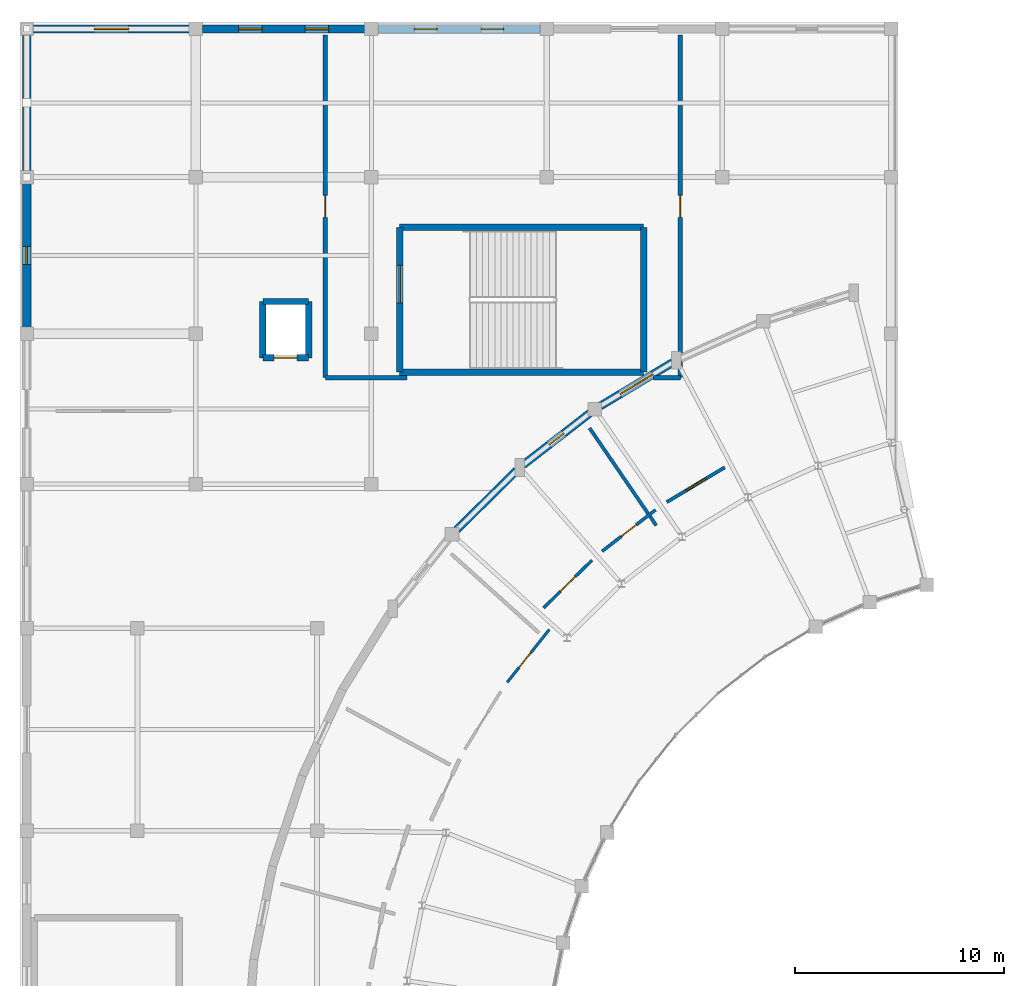
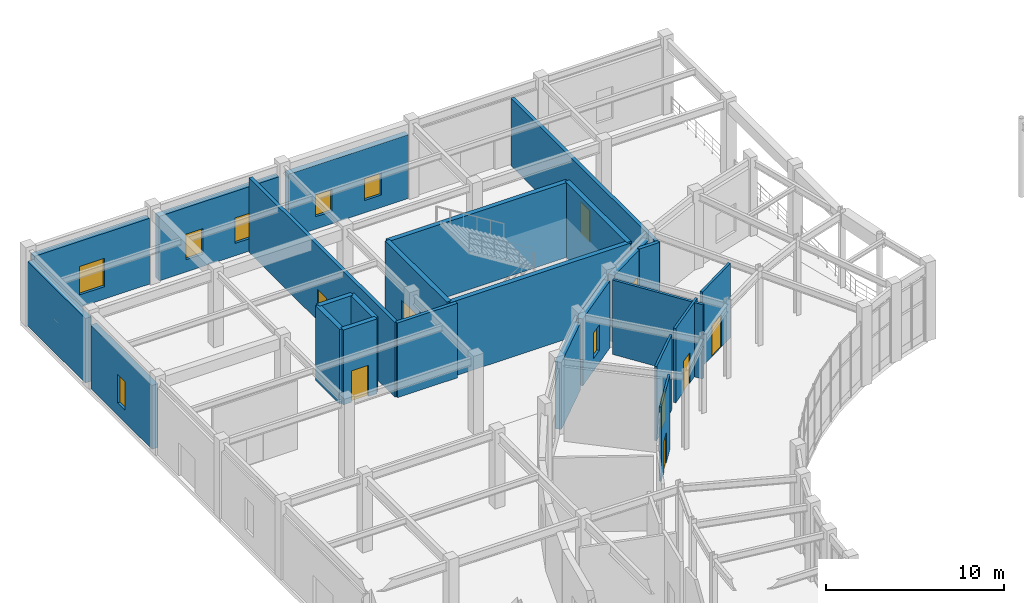
# One storey, part 57 of 93: 25 walls, 8 doors, 8 windows, 16 openings.
"""IFC4 building model written with IfcOpenShell, lengths in metres."""

from ifc_helpers import new_model, si_unit, direction, frame, frame_2d, origin, place, context, subcontext, project, spatial, rectangle, extrude, material, layer, layer_set, type_object, element, fill, save


model = new_model("IFC4")

# Units and contexts
model_context = context("Model", 3, precision=1e-05, world=origin(), true_north=direction((0.0, 1.0)))
body_context = subcontext(model_context, "Body", "Model", "MODEL_VIEW")
ifc_project = project(units=[si_unit("LENGTHUNIT", "METRE"), si_unit("AREAUNIT", "SQUARE_METRE"), si_unit("VOLUMEUNIT", "CUBIC_METRE"), si_unit("PLANEANGLEUNIT", "RADIAN"), si_unit("MASSUNIT", "GRAM", prefix="KILO")], contexts=[model_context])

# Site, building, storey
site_placement = place(None, origin())
site = spatial("IfcSite", under=ifc_project, at=site_placement, CompositionType="ELEMENT")
building_placement = place(site_placement, origin())
building = spatial("IfcBuilding", under=site, at=building_placement, Name="Cinderbank Siding Concert Hall", CompositionType="ELEMENT")
storey_placement = place(building_placement, origin())
storey = spatial("IfcBuildingStorey", under=building, at=storey_placement, Name="L01", CompositionType="ELEMENT", Elevation=0.0)

# Wall, opening, door
ifc_material_1 = material(Name="Reinforced concrete AS 3600 N50 (50 MPa)", Category="concrete")
ifc_layer_1 = layer(ifc_material_1, 0.300048828125)
ifc_layer_set_1 = layer_set([ifc_layer_1], Name="Reinforced concrete AS 3600 N50 (50 MPa)")
wall_type_1 = type_object("IfcWallType", Name="WL-03 Structural Wall 300mm", PredefinedType="SHEAR", material=ifc_layer_set_1)
wall_1_placement = place(storey_placement, frame((24.9599609375, 101.4599609375, 0.0), z_axis=(0.0, 0.0, 1.0), x_axis=(0.0, 1.0, 0.0)))
wall_1 = element("IfcWall", 1, at=wall_1_placement, inside=storey, type_object=wall_type_1, Name="L01 ST-05 Core Wall ENTRY", PredefinedType="SHEAR", context=body_context, shape_type="SweptSolid", body=[
    extrude(rectangle(XDim=6.93994140625, YDim=0.300048828125, at=frame_2d((3.469970703125, 0.0))), origin(), (0.0, 0.0, 1.0), 5.139892578125),
])
opening_1_placement = place(wall_1_placement, frame((3.320068359375, 0.0, 0.0)))
opening_1 = element("IfcOpeningElement", 2, at=opening_1_placement, cuts=wall_1, Name="Opening D-05", PredefinedType="OPENING", context=body_context, shape_type="SweptSolid", body=[
    extrude(rectangle(XDim=1.800048828125, YDim=2.199951171875, at=frame_2d((0.89990234375, 1.10009765625))), frame((0.0, 0.162109375, 0.0), z_axis=(0.0, -1.0, 0.0), x_axis=(1.0, 0.0, 0.0)), (0.0, 0.0, 1.0), 0.323974609375),
])
ifc_material_2 = material(Name="Galvanised sheet steel acoustic fire door assembly", Category="steel")
door_type_1 = type_object("IfcDoorType", Name="D-05 Interior Door 1800x2200", OperationType="DOUBLE_DOOR_SINGLE_SWING", PredefinedType="DOOR", material=ifc_material_2)
door_1_placement = place(opening_1_placement, origin())
door_1 = element("IfcDoor", 3, at=door_1_placement, inside=storey, type_object=door_type_1, Name="L01 ST-05 Fire Stair Door L01-D030", OperationType="DOUBLE_DOOR_SINGLE_SWING", OverallHeight=2.199951171875, OverallWidth=1.800048828125, PredefinedType="DOOR", context=body_context, shape_type="SweptSolid", body=[
    extrude(rectangle(XDim=1.800048828125, YDim=2.199951171875, at=frame_2d((0.89990234375, 1.10009765625))), frame((0.0, 0.02490234375, 0.0), z_axis=(0.0, -1.0, 0.0), x_axis=(1.0, 0.0, 0.0)), (0.0, 0.0, 1.0), 0.050048828125),
])
fill(opening_1, door_1)

# Walls
wall_2_placement = place(storey_placement, frame((36.639892578125, 108.39990234375, 0.0), z_axis=(0.0, 0.0, 1.0), x_axis=(0.0, -1.0, 0.0)))
element("IfcWall", 4, at=wall_2_placement, inside=storey, type_object=wall_type_1, Name="L01 ST-05 Core Wall FAR", PredefinedType="SHEAR", context=body_context, shape_type="SweptSolid", body=[
    extrude(rectangle(XDim=6.93994140625, YDim=0.300048828125, at=frame_2d((3.469970703125, 0.0))), origin(), (0.0, 0.0, 1.0), 5.139892578125),
])
for number, where, z_axis, x_axis, name in (
    (5, (36.639892578125, 101.4599609375, 0.0), (0.0, 0.0, 1.0), (-1.0, 0.0, 0.0), "L01 ST-05 Core Wall SIDE1"),
    (6, (24.9599609375, 108.39990234375, 0.0), (0.0, 0.0, 1.0), (1.0, 0.0, 0.0), "L01 ST-05 Core Wall SIDE2"),
):
    element("IfcWall", number, at=place(storey_placement, frame(where, z_axis=z_axis, x_axis=x_axis)), inside=storey, type_object=wall_type_1, Name=name, PredefinedType="SHEAR", context=body_context, shape_type="SweptSolid", body=[
        extrude(rectangle(XDim=11.679931640625, YDim=0.300048828125, at=frame_2d((5.83984375, 0.0))), origin(), (0.0, 0.0, 1.0), 5.139892578125),
    ])

# Wall, opening, door
wall_3_placement = place(storey_placement, frame((20.60009765625, 102.14990234375, 0.0), z_axis=(0.0, 0.0, 1.0), x_axis=(-1.0, 0.0, 0.0)))
wall_3 = element("IfcWall", 7, at=wall_3_placement, inside=storey, type_object=wall_type_1, Name="L01 LF-06 Shaft Wall -Y", PredefinedType="SHEAR", context=body_context, shape_type="SweptSolid", body=[
    extrude(rectangle(XDim=2.2001953125, YDim=0.300048828125, at=frame_2d((1.10009765625, 0.0))), origin(), (0.0, 0.0, 1.0), 5.139892578125),
])
opening_2_placement = place(wall_3_placement, frame((0.550048828125, 0.0, 0.0)))
opening_2 = element("IfcOpeningElement", 8, at=opening_2_placement, cuts=wall_3, Name="Opening LD-01", PredefinedType="OPENING", context=body_context, shape_type="SweptSolid", body=[
    extrude(rectangle(XDim=1.10009765625, YDim=2.14990234375, at=frame_2d((0.550048828125, 1.074951171875))), frame((0.0, 0.162109375, 0.0), z_axis=(0.0, -1.0, 0.0), x_axis=(1.0, 0.0, 0.0)), (0.0, 0.0, 1.0), 0.323974609375),
])
door_type_2 = type_object("IfcDoorType", Name="LD-01 Interior Door 1100x2150", OperationType="DOUBLE_DOOR_SLIDING", PredefinedType="DOOR", material=ifc_material_2)
door_2_placement = place(opening_2_placement, origin())
door_2 = element("IfcDoor", 9, at=door_2_placement, inside=storey, type_object=door_type_2, Name="L01 LF-06 Sliding Landing Door", OperationType="DOUBLE_DOOR_SLIDING", OverallHeight=2.14990234375, OverallWidth=1.10009765625, PredefinedType="DOOR", context=body_context, shape_type="SweptSolid", body=[
    extrude(rectangle(XDim=1.10009765625, YDim=2.14990234375, at=frame_2d((0.550048828125, 1.074951171875))), frame((0.0, 0.02490234375, 0.0), z_axis=(0.0, -1.0, 0.0), x_axis=(1.0, 0.0, 0.0)), (0.0, 0.0, 1.0), 0.050048828125),
])
fill(opening_2, door_2)

# Walls
wall_4_placement = place(storey_placement, frame((20.60009765625, 104.85009765625, 0.0), z_axis=(0.0, 0.0, 1.0), x_axis=(0.0, -1.0, 0.0)))
element("IfcWall", 10, at=wall_4_placement, inside=storey, type_object=wall_type_1, Name="L01 LF-06 Shaft Wall +X", PredefinedType="SHEAR", context=body_context, shape_type="SweptSolid", body=[
    extrude(rectangle(XDim=2.7001953125, YDim=0.300048828125, at=frame_2d((1.35009765625, 0.0))), origin(), (0.0, 0.0, 1.0), 5.139892578125),
])
wall_5_placement = place(storey_placement, frame((18.39990234375, 104.85009765625, 0.0), z_axis=(0.0, 0.0, 1.0), x_axis=(1.0, 0.0, 0.0)))
element("IfcWall", 11, at=wall_5_placement, inside=storey, type_object=wall_type_1, Name="L01 LF-06 Shaft Wall +Y", PredefinedType="SHEAR", context=body_context, shape_type="SweptSolid", body=[
    extrude(rectangle(XDim=2.2001953125, YDim=0.300048828125, at=frame_2d((1.10009765625, 0.0))), origin(), (0.0, 0.0, 1.0), 5.139892578125),
])
wall_6_placement = place(storey_placement, frame((18.39990234375, 102.14990234375, 0.0), z_axis=(0.0, 0.0, 1.0), x_axis=(0.0, 1.0, 0.0)))
element("IfcWall", 12, at=wall_6_placement, inside=storey, type_object=wall_type_1, Name="L01 LF-06 Shaft Wall -X", PredefinedType="SHEAR", context=body_context, shape_type="SweptSolid", body=[
    extrude(rectangle(XDim=2.7001953125, YDim=0.300048828125, at=frame_2d((1.35009765625, 0.0))), origin(), (0.0, 0.0, 1.0), 5.139892578125),
])

# Wall, opening, door
ifc_layer_2 = layer(ifc_material_1, 0.219970703125)
ifc_layer_set_2 = layer_set([ifc_layer_2], Name="Reinforced concrete AS 3600 N50 (50 MPa)")
wall_type_2 = type_object("IfcWallType", Name="WL-06 Interior Wall 220mm", PredefinedType="SOLIDWALL", material=ifc_layer_set_2)
wall_7_placement = place(storey_placement, frame((21.39990234375, 117.60009765625, 0.0), z_axis=(0.0, 0.0, 1.0), x_axis=(0.0, -1.0, 0.0)))
wall_7 = element("IfcWall", 13, at=wall_7_placement, inside=storey, type_object=wall_type_2, Name="L01 Fire-Isolated Exit Passage Wall EPW-05-W", PredefinedType="SOLIDWALL", context=body_context, shape_type="SweptSolid", body=[
    extrude(rectangle(XDim=16.400146484375, YDim=0.219970703125, at=frame_2d((8.2001953125, 0.0))), origin(), (0.0, 0.0, 1.0), 5.125),
])
opening_3_placement = place(wall_7_placement, frame((7.675048828125, 0.0, 0.0)))
opening_3 = element("IfcOpeningElement", 14, at=opening_3_placement, cuts=wall_7, Name="Opening D-02", PredefinedType="OPENING", context=body_context, shape_type="SweptSolid", body=[
    extrude(rectangle(XDim=1.050048828125, YDim=2.14990234375, at=frame_2d((0.52490234375, 1.074951171875))), frame((0.0, 0.1220703125, 0.0), z_axis=(0.0, -1.0, 0.0), x_axis=(1.0, 0.0, 0.0)), (0.0, 0.0, 1.0), 0.243896484375),
])
door_type_3 = type_object("IfcDoorType", Name="D-02 Interior Door 1050x2150", OperationType="NOTDEFINED", PredefinedType="DOOR", material=ifc_material_2)
door_3_placement = place(opening_3_placement, origin())
door_3 = element("IfcDoor", 15, at=door_3_placement, inside=storey, type_object=door_type_3, Name="L01 Exit Passage Fire Door L01-D090", OperationType="SINGLE_SWING_LEFT", OverallHeight=2.14990234375, OverallWidth=1.050048828125, PredefinedType="DOOR", context=body_context, shape_type="SweptSolid", body=[
    extrude(rectangle(XDim=1.050048828125, YDim=2.14990234375, at=frame_2d((0.52490234375, 1.074951171875))), frame((0.0, 0.02490234375, 0.0), z_axis=(0.0, -1.0, 0.0), x_axis=(1.0, 0.0, 0.0)), (0.0, 0.0, 1.0), 0.050048828125),
])
fill(opening_3, door_3)

# Walls
wall_8_placement = place(storey_placement, frame((21.39990234375, 101.199951171875, 0.0), z_axis=(0.0, 0.0, 1.0), x_axis=(1.0, 0.0, 0.0)))
element("IfcWall", 16, at=wall_8_placement, inside=storey, type_object=wall_type_2, Name="L01 Fire-Isolated Exit Passage Wall EPW-05-S", PredefinedType="SOLIDWALL", context=body_context, shape_type="SweptSolid", body=[
    extrude(rectangle(XDim=3.900146484375, YDim=0.219970703125, at=frame_2d((1.9501953125, 0.0))), origin(), (0.0, 0.0, 1.0), 5.125),
])
wall_9_placement = place(storey_placement, frame((37.10009765625, 101.199951171875, 0.0), z_axis=(0.0, 0.0, 1.0), x_axis=(1.0, 0.0, 0.0)))
element("IfcWall", 17, at=wall_9_placement, inside=storey, type_object=wall_type_2, Name="L01 Fire-Isolated Exit Passage Wall EPW-05-S2", PredefinedType="SOLIDWALL", context=body_context, shape_type="SweptSolid", body=[
    extrude(rectangle(XDim=1.2998046875, YDim=0.219970703125, at=frame_2d((0.64990234375, 0.0))), origin(), (0.0, 0.0, 1.0), 4.70703125),
])

# Wall, opening, door
wall_10_placement = place(storey_placement, frame((38.39990234375, 101.199951171875, 0.0), z_axis=(0.0, 0.0, 1.0), x_axis=(0.0, 1.0, 0.0)))
wall_10 = element("IfcWall", 18, at=wall_10_placement, inside=storey, type_object=wall_type_2, Name="L01 Fire-Isolated Exit Passage Wall EPW-05-E", PredefinedType="SOLIDWALL", context=body_context, shape_type="SweptSolid", body=[
    extrude(rectangle(XDim=16.400146484375, YDim=0.219970703125, at=frame_2d((8.2001953125, 0.0))), origin(), (0.0, 0.0, 1.0), 4.649658203125),
])
opening_4_placement = place(wall_10_placement, frame((7.675048828125, 0.0, 0.0)))
opening_4 = element("IfcOpeningElement", 19, at=opening_4_placement, cuts=wall_10, Name="Opening D-02", PredefinedType="OPENING", context=body_context, shape_type="SweptSolid", body=[
    extrude(rectangle(XDim=1.050048828125, YDim=2.14990234375, at=frame_2d((0.52490234375, 1.074951171875))), frame((0.0, 0.1220703125, 0.0), z_axis=(0.0, -1.0, 0.0), x_axis=(1.0, 0.0, 0.0)), (0.0, 0.0, 1.0), 0.243896484375),
])
door_4_placement = place(opening_4_placement, origin())
door_4 = element("IfcDoor", 20, at=door_4_placement, inside=storey, type_object=door_type_3, Name="L01 Exit Passage Fire Door L01-D091", OperationType="SINGLE_SWING_RIGHT", OverallHeight=2.14990234375, OverallWidth=1.050048828125, PredefinedType="DOOR", context=body_context, shape_type="SweptSolid", body=[
    extrude(rectangle(XDim=1.050048828125, YDim=2.14990234375, at=frame_2d((0.52490234375, 1.074951171875))), frame((0.0, 0.02490234375, 0.0), z_axis=(0.0, -1.0, 0.0), x_axis=(1.0, 0.0, 0.0)), (0.0, 0.0, 1.0), 0.050048828125),
])
fill(opening_4, door_4)

# Wall, opening, window
ifc_material_3 = material(Name="Sydney Hawkesbury sandstone ashlar masonry", Category="masonry")
ifc_layer_3 = layer(ifc_material_3, 0.389892578125)
ifc_layer_set_3 = layer_set([ifc_layer_3], Name="Sydney Hawkesbury sandstone ashlar masonry")
wall_type_3 = type_object("IfcWallType", Name="WL-09 Exterior Wall 390mm", PredefinedType="STANDARD", material=ifc_layer_set_3)
wall_11_placement = place(storey_placement, frame((34.571044921875, 99.843994140625, 0.0), z_axis=(0.0, 0.0, 1.0), x_axis=(0.857145679263, 0.515074057316, 0.0)))
wall_11 = element("IfcWall", 21, at=wall_11_placement, inside=storey, type_object=wall_type_3, Name="L01 Facade Wall EW-WOUT-L01-03", PredefinedType="STANDARD", context=body_context, shape_type="SweptSolid", body=[
    extrude(rectangle(XDim=4.03466796875, YDim=0.389892578125, at=frame_2d((2.017333984375, 0.0))), origin(), (0.0, 0.0, 1.0), 4.60009765625),
])
opening_5_placement = place(wall_11_placement, frame((1.09228515625, 0.0, 0.85009765625)))
opening_5 = element("IfcOpeningElement", 22, at=opening_5_placement, cuts=wall_11, Name="Opening WN-16", PredefinedType="OPENING", context=body_context, shape_type="SweptSolid", body=[
    extrude(rectangle(XDim=1.85009765625, YDim=1.949951171875, at=frame_2d((0.925048828125, 0.97509765625))), frame((0.0, 0.20703125, 0.0), z_axis=(0.0, -1.0, 0.0), x_axis=(1.0, 0.0, 0.0)), (0.0, 0.0, 1.0), 0.413818359375),
])
ifc_material_4 = material(Name="Double-glazed laminated acoustic glass", Category="glass")
window_type_1 = type_object("IfcWindowType", Name="WN-16 Acoustic Casement Window 1850x1950", PartitioningType="DOUBLE_PANEL_VERTICAL", PredefinedType="WINDOW", material=ifc_material_4)
window_1_placement = place(opening_5_placement, origin())
window_1 = element("IfcWindow", 23, at=window_1_placement, inside=storey, type_object=window_type_1, Name="L01 Facade Window #2", OverallHeight=1.949951171875, OverallWidth=1.85009765625, PartitioningType="DOUBLE_PANEL_VERTICAL", PredefinedType="WINDOW", context=body_context, shape_type="SweptSolid", body=[
    extrude(rectangle(XDim=1.85009765625, YDim=1.949951171875, at=frame_2d((0.925048828125, 0.97509765625))), frame((0.0, 0.030029296875, 0.0), z_axis=(0.0, -1.0, 0.0), x_axis=(1.0, 0.0, 0.0)), (0.0, 0.0, 1.0), 0.06005859375),
])
fill(opening_5, window_1)

wall_12_placement = place(storey_placement, frame((34.060302734375, 99.494384765625, 0.0), z_axis=(0.0, 0.0, 1.0), x_axis=(-0.790149827007, -0.612913738532, 0.0)))
wall_12 = element("IfcWall", 24, at=wall_12_placement, inside=storey, type_object=wall_type_3, Name="L01 Facade Wall EW-WOUT-L01-04", PredefinedType="STANDARD", context=body_context, shape_type="SweptSolid", body=[
    extrude(rectangle(XDim=4.03466796875, YDim=0.389892578125, at=frame_2d((2.017333984375, 0.0))), origin(), (0.0, 0.0, 1.0), 4.60009765625),
])
opening_6_placement = place(wall_12_placement, frame((1.5673828125, 0.0, 0.85009765625)))
opening_6 = element("IfcOpeningElement", 25, at=opening_6_placement, cuts=wall_12, Name="Opening WN-17", PredefinedType="OPENING", context=body_context, shape_type="SweptSolid", body=[
    extrude(rectangle(XDim=0.89990234375, YDim=1.75, at=frame_2d((0.449951171875, 0.875))), frame((0.0, 0.20703125, 0.0), z_axis=(0.0, -1.0, 0.0), x_axis=(1.0, 0.0, 0.0)), (0.0, 0.0, 1.0), 0.413818359375),
])
window_type_2 = type_object("IfcWindowType", Name="WN-17 Acoustic Casement Window 900x1750", PartitioningType="DOUBLE_PANEL_VERTICAL", PredefinedType="WINDOW", material=ifc_material_4)
window_2_placement = place(opening_6_placement, origin())
window_2 = element("IfcWindow", 26, at=window_2_placement, inside=storey, type_object=window_type_2, Name="L01 Facade Window #3", OverallHeight=1.75, OverallWidth=0.89990234375, PartitioningType="DOUBLE_PANEL_VERTICAL", PredefinedType="WINDOW", context=body_context, shape_type="SweptSolid", body=[
    extrude(rectangle(XDim=0.89990234375, YDim=1.75, at=frame_2d((0.449951171875, 0.875))), frame((0.0, 0.030029296875, 0.0), z_axis=(0.0, -1.0, 0.0), x_axis=(1.0, 0.0, 0.0)), (0.0, 0.0, 1.0), 0.06005859375),
])
fill(opening_6, window_2)

# Wall
wall_13_placement = place(storey_placement, frame((30.556884765625, 96.7451171875, 0.0), z_axis=(0.0, 0.0, 1.0), x_axis=(-0.712081231167, -0.70209708746, 0.0)))
element("IfcWall", 27, at=wall_13_placement, inside=storey, type_object=wall_type_3, Name="L01 Facade Wall EW-WOUT-L01-05", PredefinedType="STANDARD", context=body_context, shape_type="SweptSolid", body=[
    extrude(rectangle(XDim=4.03466796875, YDim=0.389892578125, at=frame_2d((2.017333984375, 0.0))), origin(), (0.0, 0.0, 1.0), 4.60009765625),
])

# Wall, opening, window
wall_14_placement = place(storey_placement, frame((7.10009765625, 103.610107421875, 0.0), z_axis=(0.0, 0.0, 1.0), x_axis=(0.0, 1.0, 0.0)))
wall_14 = element("IfcWall", 28, at=wall_14_placement, inside=storey, type_object=wall_type_3, Name="L01 Facade Wall EW-NW-W2-L01", PredefinedType="STANDARD", context=body_context, shape_type="SweptSolid", body=[
    extrude(rectangle(XDim=6.8798828125, YDim=0.389892578125, at=frame_2d((3.43994140625, 0.0))), origin(), (0.0, 0.0, 1.0), 4.376953125),
])
opening_7_placement = place(wall_14_placement, frame((3.014892578125, 0.0, 0.85009765625)))
opening_7 = element("IfcOpeningElement", 29, at=opening_7_placement, cuts=wall_14, Name="Opening WN-09", PredefinedType="OPENING", context=body_context, shape_type="SweptSolid", body=[
    extrude(rectangle(XDim=0.85009765625, YDim=1.949951171875, at=frame_2d((0.425048828125, 0.97509765625))), frame((0.0, 0.20703125, 0.0), z_axis=(0.0, -1.0, 0.0), x_axis=(1.0, 0.0, 0.0)), (0.0, 0.0, 1.0), 0.413818359375),
])
window_type_3 = type_object("IfcWindowType", Name="WN-09 Acoustic Casement Window 850x1950", PartitioningType="DOUBLE_PANEL_VERTICAL", PredefinedType="WINDOW", material=ifc_material_4)
window_3_placement = place(opening_7_placement, origin())
window_3 = element("IfcWindow", 30, at=window_3_placement, inside=storey, type_object=window_type_3, Name="L01 Facade Window #117", OverallHeight=1.949951171875, OverallWidth=0.85009765625, PartitioningType="DOUBLE_PANEL_VERTICAL", PredefinedType="WINDOW", context=body_context, shape_type="SweptSolid", body=[
    extrude(rectangle(XDim=0.85009765625, YDim=1.949951171875, at=frame_2d((0.425048828125, 0.97509765625))), frame((0.0, 0.030029296875, 0.0), z_axis=(0.0, -1.0, 0.0), x_axis=(1.0, 0.0, 0.0)), (0.0, 0.0, 1.0), 0.06005859375),
])
fill(opening_7, window_3)

# Wall
wall_15_placement = place(storey_placement, frame((7.10009765625, 111.110107421875, 0.0), z_axis=(0.0, 0.0, 1.0), x_axis=(0.0, 1.0, 0.0)))
element("IfcWall", 31, at=wall_15_placement, inside=storey, type_object=wall_type_3, Name="L01 Facade Wall EW-NW-W3-L01", PredefinedType="STANDARD", context=body_context, shape_type="SweptSolid", body=[
    extrude(rectangle(XDim=6.47998046875, YDim=0.389892578125, at=frame_2d((3.239990234375, 0.0))), origin(), (0.0, 0.0, 1.0), 4.427001953125),
])

# Wall, opening, window
wall_16_placement = place(storey_placement, frame((7.409912109375, 117.89990234375, 0.0), z_axis=(0.0, 0.0, 1.0), x_axis=(1.0, 0.0, 0.0)))
wall_16 = element("IfcWall", 32, at=wall_16_placement, inside=storey, type_object=wall_type_3, Name="L01 Facade Wall EW-NW-N0-L01", PredefinedType="STANDARD", context=body_context, shape_type="SweptSolid", body=[
    extrude(rectangle(XDim=7.47998046875, YDim=0.389892578125, at=frame_2d((3.739990234375, 0.0))), origin(), (0.0, 0.0, 1.0), 4.52490234375),
])
opening_8_placement = place(wall_16_placement, frame((2.9150390625, 0.0, 0.85009765625)))
opening_8 = element("IfcOpeningElement", 33, at=opening_8_placement, cuts=wall_16, Name="Opening WN-15", PredefinedType="OPENING", context=body_context, shape_type="SweptSolid", body=[
    extrude(rectangle(XDim=1.64990234375, YDim=1.949951171875, at=frame_2d((0.824951171875, 0.97509765625))), frame((0.0, 0.20703125, 0.0), z_axis=(0.0, -1.0, 0.0), x_axis=(1.0, 0.0, 0.0)), (0.0, 0.0, 1.0), 0.413818359375),
])
window_type_4 = type_object("IfcWindowType", Name="WN-15 Acoustic Casement Window 1650x1950", PartitioningType="DOUBLE_PANEL_VERTICAL", PredefinedType="WINDOW", material=ifc_material_4)
window_4_placement = place(opening_8_placement, origin())
window_4 = element("IfcWindow", 34, at=window_4_placement, inside=storey, type_object=window_type_4, Name="L01 Facade Window #123", OverallHeight=1.949951171875, OverallWidth=1.64990234375, PartitioningType="DOUBLE_PANEL_VERTICAL", PredefinedType="WINDOW", context=body_context, shape_type="SweptSolid", body=[
    extrude(rectangle(XDim=1.64990234375, YDim=1.949951171875, at=frame_2d((0.824951171875, 0.97509765625))), frame((0.0, 0.030029296875, 0.0), z_axis=(0.0, -1.0, 0.0), x_axis=(1.0, 0.0, 0.0)), (0.0, 0.0, 1.0), 0.06005859375),
])
fill(opening_8, window_4)

# Wall, openings, windows
wall_17_placement = place(storey_placement, frame((15.510009765625, 117.89990234375, 0.0), z_axis=(0.0, 0.0, 1.0), x_axis=(1.0, 0.0, 0.0)))
wall_17 = element("IfcWall", 35, at=wall_17_placement, inside=storey, type_object=wall_type_3, Name="L01 Facade Wall EW-NW-N1-L01", PredefinedType="STANDARD", context=body_context, shape_type="SweptSolid", body=[
    extrude(rectangle(XDim=7.780029296875, YDim=0.389892578125, at=frame_2d((3.89013671875, 0.0))), origin(), (0.0, 0.0, 1.0), 4.427001953125),
])
opening_9_placement = place(wall_17_placement, frame((1.735107421875, 0.0, 0.85009765625)))
opening_9 = element("IfcOpeningElement", 36, at=opening_9_placement, cuts=wall_17, Name="Opening WN-19", PredefinedType="OPENING", context=body_context, shape_type="SweptSolid", body=[
    extrude(rectangle(XDim=1.1201171875, YDim=1.75, at=frame_2d((0.56005859375, 0.875))), frame((0.0, 0.20703125, 0.0), z_axis=(0.0, -1.0, 0.0), x_axis=(1.0, 0.0, 0.0)), (0.0, 0.0, 1.0), 0.413818359375),
])
opening_10_placement = place(wall_17_placement, frame((4.925048828125, 0.0, 0.85009765625)))
opening_10 = element("IfcOpeningElement", 37, at=opening_10_placement, cuts=wall_17, Name="Opening WN-19", PredefinedType="OPENING", context=body_context, shape_type="SweptSolid", body=[
    extrude(rectangle(XDim=1.1201171875, YDim=1.75, at=frame_2d((0.56005859375, 0.875))), frame((0.0, 0.20703125, 0.0), z_axis=(0.0, -1.0, 0.0), x_axis=(1.0, 0.0, 0.0)), (0.0, 0.0, 1.0), 0.413818359375),
])
window_type_5 = type_object("IfcWindowType", Name="WN-19 Acoustic Casement Window 1120x1750", PartitioningType="DOUBLE_PANEL_VERTICAL", PredefinedType="WINDOW", material=ifc_material_4)
window_5_placement = place(opening_9_placement, origin())
window_5 = element("IfcWindow", 38, at=window_5_placement, inside=storey, type_object=window_type_5, Name="L01 Facade Window #127", OverallHeight=1.75, OverallWidth=1.1201171875, PartitioningType="DOUBLE_PANEL_VERTICAL", PredefinedType="WINDOW", context=body_context, shape_type="SweptSolid", body=[
    extrude(rectangle(XDim=1.1201171875, YDim=1.75, at=frame_2d((0.56005859375, 0.875))), frame((0.0, 0.030029296875, 0.0), z_axis=(0.0, -1.0, 0.0), x_axis=(1.0, 0.0, 0.0)), (0.0, 0.0, 1.0), 0.06005859375),
])
fill(opening_9, window_5)
window_6_placement = place(opening_10_placement, origin())
window_6 = element("IfcWindow", 39, at=window_6_placement, inside=storey, type_object=window_type_5, Name="L01 Facade Window #128", OverallHeight=1.75, OverallWidth=1.1201171875, PartitioningType="DOUBLE_PANEL_VERTICAL", PredefinedType="WINDOW", context=body_context, shape_type="SweptSolid", body=[
    extrude(rectangle(XDim=1.1201171875, YDim=1.75, at=frame_2d((0.56005859375, 0.875))), frame((0.0, 0.030029296875, 0.0), z_axis=(0.0, -1.0, 0.0), x_axis=(1.0, 0.0, 0.0)), (0.0, 0.0, 1.0), 0.06005859375),
])
fill(opening_10, window_6)

wall_18_placement = place(storey_placement, frame((23.909912109375, 117.89990234375, 0.0), z_axis=(0.0, 0.0, 1.0), x_axis=(1.0, 0.0, 0.0)))
wall_18 = element("IfcWall", 40, at=wall_18_placement, inside=storey, type_object=wall_type_3, Name="L01 Facade Wall EW-NW-N1B-L01", PredefinedType="STANDARD", context=body_context, shape_type="SweptSolid", body=[
    extrude(rectangle(XDim=7.780029296875, YDim=0.389892578125, at=frame_2d((3.89013671875, 0.0))), origin(), (0.0, 0.0, 1.0), 4.376953125),
])
opening_11_placement = place(wall_18_placement, frame((1.7548828125, 0.0, 0.85009765625)))
opening_11 = element("IfcOpeningElement", 41, at=opening_11_placement, cuts=wall_18, Name="Opening WN-26", PredefinedType="OPENING", context=body_context, shape_type="SweptSolid", body=[
    extrude(rectangle(XDim=1.080078125, YDim=1.5, at=frame_2d((0.5400390625, 0.75))), frame((0.0, 0.20703125, 0.0), z_axis=(0.0, -1.0, 0.0), x_axis=(1.0, 0.0, 0.0)), (0.0, 0.0, 1.0), 0.413818359375),
])
opening_12_placement = place(wall_18_placement, frame((4.945068359375, 0.0, 0.85009765625)))
opening_12 = element("IfcOpeningElement", 42, at=opening_12_placement, cuts=wall_18, Name="Opening WN-26", PredefinedType="OPENING", context=body_context, shape_type="SweptSolid", body=[
    extrude(rectangle(XDim=1.080078125, YDim=1.5, at=frame_2d((0.5400390625, 0.75))), frame((0.0, 0.20703125, 0.0), z_axis=(0.0, -1.0, 0.0), x_axis=(1.0, 0.0, 0.0)), (0.0, 0.0, 1.0), 0.413818359375),
])
window_type_6 = type_object("IfcWindowType", Name="WN-26 Acoustic Casement Window 1080x1500", PartitioningType="DOUBLE_PANEL_VERTICAL", PredefinedType="WINDOW", material=ifc_material_4)
window_7_placement = place(opening_11_placement, origin())
window_7 = element("IfcWindow", 43, at=window_7_placement, inside=storey, type_object=window_type_6, Name="L01 Facade Window #133", OverallHeight=1.5, OverallWidth=1.080078125, PartitioningType="DOUBLE_PANEL_VERTICAL", PredefinedType="WINDOW", context=body_context, shape_type="SweptSolid", body=[
    extrude(rectangle(XDim=1.080078125, YDim=1.5, at=frame_2d((0.5400390625, 0.75))), frame((0.0, 0.030029296875, 0.0), z_axis=(0.0, -1.0, 0.0), x_axis=(1.0, 0.0, 0.0)), (0.0, 0.0, 1.0), 0.06005859375),
])
fill(opening_11, window_7)
window_8_placement = place(opening_12_placement, origin())
window_8 = element("IfcWindow", 44, at=window_8_placement, inside=storey, type_object=window_type_6, Name="L01 Facade Window #134", OverallHeight=1.5, OverallWidth=1.080078125, PartitioningType="DOUBLE_PANEL_VERTICAL", PredefinedType="WINDOW", context=body_context, shape_type="SweptSolid", body=[
    extrude(rectangle(XDim=1.080078125, YDim=1.5, at=frame_2d((0.5400390625, 0.75))), frame((0.0, 0.030029296875, 0.0), z_axis=(0.0, -1.0, 0.0), x_axis=(1.0, 0.0, 0.0)), (0.0, 0.0, 1.0), 0.06005859375),
])
fill(opening_12, window_8)

# Wall
ifc_material_5 = material(Name="Acoustic plasterboard on light-gauge steel studs", Category="gypsum")
ifc_layer_4 = layer(ifc_material_5, 0.159912109375)
ifc_layer_set_4 = layer_set([ifc_layer_4], Name="Acoustic plasterboard on light-gauge steel studs")
wall_type_4 = type_object("IfcWallType", Name="WL-14 Interior Wall 160mm", PredefinedType="PARTITIONING", material=ifc_layer_set_4)
wall_19_placement = place(storey_placement, frame((37.2421875, 94.12060546875, 0.0), z_axis=(0.0, 0.0, 1.0), x_axis=(-0.5649286392, 0.825139765501, 0.0)))
element("IfcWall", 45, at=wall_19_placement, inside=storey, type_object=wall_type_4, Name="L01 Radial Studio Demising Wall W04", PredefinedType="PARTITIONING", context=body_context, shape_type="SweptSolid", body=[
    extrude(rectangle(XDim=5.650146484375, YDim=0.159912109375, at=frame_2d((2.8251953125, 0.0))), origin(), (0.0, 0.0, 1.0), 5.10498046875),
])

# Wall, opening, door
wall_20_placement = place(storey_placement, frame((40.522216796875, 96.90185546875, 0.0), z_axis=(0.0, 0.0, 1.0), x_axis=(-0.857160006547, -0.515050214229, 0.0)))
wall_20 = element("IfcWall", 46, at=wall_20_placement, inside=storey, type_object=wall_type_4, Name="L01 Partition Studio Bay W03", PredefinedType="PARTITIONING", context=body_context, shape_type="SweptSolid", body=[
    extrude(rectangle(XDim=3.237060546875, YDim=0.159912109375, at=frame_2d((1.61865234375, 0.0))), origin(), (0.0, 0.0, 1.0), 5.10498046875),
])
opening_13_placement = place(wall_20_placement, frame((1.068603515625, 0.0, 0.0)))
opening_13 = element("IfcOpeningElement", 47, at=opening_13_placement, cuts=wall_20, Name="Opening D-04", PredefinedType="OPENING", context=body_context, shape_type="SweptSolid", body=[
    extrude(rectangle(XDim=1.10009765625, YDim=2.199951171875, at=frame_2d((0.550048828125, 1.10009765625))), frame((0.0, 0.091796875, 0.0), z_axis=(0.0, -1.0, 0.0), x_axis=(1.0, 0.0, 0.0)), (0.0, 0.0, 1.0), 0.183837890625),
])
ifc_material_6 = material(Name="Solid-core spotted gum acoustic timber", Category="wood")
door_type_4 = type_object("IfcDoorType", Name="D-04 Interior Door 1100x2200", OperationType="NOTDEFINED", PredefinedType="DOOR", material=ifc_material_6)
door_5_placement = place(opening_13_placement, origin())
door_5 = element("IfcDoor", 48, at=door_5_placement, inside=storey, type_object=door_type_4, Name="L01 Studio Bay W03 Door L01-D187", OperationType="SINGLE_SWING_RIGHT", OverallHeight=2.199951171875, OverallWidth=1.10009765625, PredefinedType="DOOR", context=body_context, shape_type="SweptSolid", body=[
    extrude(rectangle(XDim=1.10009765625, YDim=2.199951171875, at=frame_2d((0.550048828125, 1.10009765625))), frame((0.0, 0.02490234375, 0.0), z_axis=(0.0, -1.0, 0.0), x_axis=(1.0, 0.0, 0.0)), (0.0, 0.0, 1.0), 0.050048828125),
])
fill(opening_13, door_5)

ifc_layer_5 = layer(ifc_material_5, 0.14990234375)
ifc_layer_set_5 = layer_set([ifc_layer_5], Name="Acoustic plasterboard on light-gauge steel studs")
wall_type_5 = type_object("IfcWallType", Name="WL-15 Interior Wall 150mm", PredefinedType="PARTITIONING", material=ifc_layer_set_5)
wall_21_placement = place(storey_placement, frame((37.208984375, 94.865966796875, 0.0), z_axis=(0.0, 0.0, 1.0), x_axis=(-0.790184021541, -0.612869653435, 0.0)))
wall_21 = element("IfcWall", 49, at=wall_21_placement, inside=storey, type_object=wall_type_5, Name="L01 Partition Studio Bay W04", PredefinedType="PARTITIONING", context=body_context, shape_type="SweptSolid", body=[
    extrude(rectangle(XDim=3.237060546875, YDim=0.14990234375, at=frame_2d((1.61865234375, 0.0))), origin(), (0.0, 0.0, 1.0), 5.10498046875),
])
opening_14_placement = place(wall_21_placement, frame((1.158447265625, 0.0, 0.0)))
opening_14 = element("IfcOpeningElement", 50, at=opening_14_placement, cuts=wall_21, Name="Opening D-09", PredefinedType="OPENING", context=body_context, shape_type="SweptSolid", body=[
    extrude(rectangle(XDim=0.919921875, YDim=2.10009765625, at=frame_2d((0.4599609375, 1.050048828125))), frame((0.0, 0.0869140625, 0.0), z_axis=(0.0, -1.0, 0.0), x_axis=(1.0, 0.0, 0.0)), (0.0, 0.0, 1.0), 0.173828125),
])
door_type_5 = type_object("IfcDoorType", Name="D-09 Interior Door 920x2100", OperationType="NOTDEFINED", PredefinedType="DOOR", material=ifc_material_6)
door_6_placement = place(opening_14_placement, origin())
door_6 = element("IfcDoor", 51, at=door_6_placement, inside=storey, type_object=door_type_5, Name="L01 Studio Bay W04 Door L01-D188", OperationType="SINGLE_SWING_LEFT", OverallHeight=2.10009765625, OverallWidth=0.919921875, PredefinedType="DOOR", context=body_context, shape_type="SweptSolid", body=[
    extrude(rectangle(XDim=0.919921875, YDim=2.10009765625, at=frame_2d((0.4599609375, 1.050048828125))), frame((0.0, 0.02490234375, 0.0), z_axis=(0.0, -1.0, 0.0), x_axis=(1.0, 0.0, 0.0)), (0.0, 0.0, 1.0), 0.050048828125),
])
fill(opening_14, door_6)

ifc_layer_6 = layer(ifc_material_5, 0.139892578125)
ifc_layer_set_6 = layer_set([ifc_layer_6], Name="Acoustic plasterboard on light-gauge steel studs")
wall_type_6 = type_object("IfcWallType", Name="WL-16 Interior Wall 140mm", PredefinedType="PARTITIONING", material=ifc_layer_set_6)
wall_22_placement = place(storey_placement, frame((34.16015625, 92.4521484375, 0.0), z_axis=(0.0, 0.0, 1.0), x_axis=(-0.712029460831, -0.702149590122, 0.0)))
wall_22 = element("IfcWall", 52, at=wall_22_placement, inside=storey, type_object=wall_type_6, Name="L01 Partition Studio Bay W05", PredefinedType="PARTITIONING", context=body_context, shape_type="SweptSolid", body=[
    extrude(rectangle(XDim=3.237060546875, YDim=0.139892578125, at=frame_2d((1.61865234375, 0.0))), origin(), (0.0, 0.0, 1.0), 5.10498046875),
])
opening_15_placement = place(wall_22_placement, frame((1.12841796875, 0.0, 0.0)))
opening_15 = element("IfcOpeningElement", 53, at=opening_15_placement, cuts=wall_22, Name="Opening D-10", PredefinedType="OPENING", context=body_context, shape_type="SweptSolid", body=[
    extrude(rectangle(XDim=0.97998046875, YDim=2.14990234375, at=frame_2d((0.489990234375, 1.074951171875))), frame((0.0, 0.08203125, 0.0), z_axis=(0.0, -1.0, 0.0), x_axis=(1.0, 0.0, 0.0)), (0.0, 0.0, 1.0), 0.163818359375),
])
door_type_6 = type_object("IfcDoorType", Name="D-10 Interior Door 980x2150", OperationType="NOTDEFINED", PredefinedType="DOOR", material=ifc_material_6)
door_7_placement = place(opening_15_placement, origin())
door_7 = element("IfcDoor", 54, at=door_7_placement, inside=storey, type_object=door_type_6, Name="L01 Studio Bay W05 Door L01-D189", OperationType="SINGLE_SWING_RIGHT", OverallHeight=2.14990234375, OverallWidth=0.97998046875, PredefinedType="DOOR", context=body_context, shape_type="SweptSolid", body=[
    extrude(rectangle(XDim=0.97998046875, YDim=2.14990234375, at=frame_2d((0.489990234375, 1.074951171875))), frame((0.0, 0.02490234375, 0.0), z_axis=(0.0, -1.0, 0.0), x_axis=(1.0, 0.0, 0.0)), (0.0, 0.0, 1.0), 0.050048828125),
])
fill(opening_15, door_7)

ifc_layer_7 = layer(ifc_material_5, 0.1298828125)
ifc_layer_set_7 = layer_set([ifc_layer_7], Name="Acoustic plasterboard on light-gauge steel studs")
wall_type_7 = type_object("IfcWallType", Name="WL-17 Interior Wall 130mm", PredefinedType="PARTITIONING", material=ifc_layer_set_7)
wall_23_placement = place(storey_placement, frame((32.121826171875, 89.132568359375, 0.0), z_axis=(0.0, 0.0, 1.0), x_axis=(-0.623885312235, -0.781515909741, 0.0)))
wall_23 = element("IfcWall", 55, at=wall_23_placement, inside=storey, type_object=wall_type_7, Name="L01 Partition Studio Bay W06", PredefinedType="PARTITIONING", context=body_context, shape_type="SweptSolid", body=[
    extrude(rectangle(XDim=3.237060546875, YDim=0.1298828125, at=frame_2d((1.61865234375, 0.0))), origin(), (0.0, 0.0, 1.0), 5.10498046875),
])
opening_16_placement = place(wall_23_placement, frame((1.41845703125, 0.0, 0.0)))
opening_16 = element("IfcOpeningElement", 56, at=opening_16_placement, cuts=wall_23, Name="Opening D-15", PredefinedType="OPENING", context=body_context, shape_type="SweptSolid", body=[
    extrude(rectangle(XDim=0.89990234375, YDim=2.10009765625, at=frame_2d((0.449951171875, 1.050048828125))), frame((0.0, 0.076904296875, 0.0), z_axis=(0.0, -1.0, 0.0), x_axis=(1.0, 0.0, 0.0)), (0.0, 0.0, 1.0), 0.15380859375),
])
door_type_7 = type_object("IfcDoorType", Name="D-15 Interior Door 900x2100", OperationType="NOTDEFINED", PredefinedType="DOOR", material=ifc_material_6)
door_8_placement = place(opening_16_placement, origin())
door_8 = element("IfcDoor", 57, at=door_8_placement, inside=storey, type_object=door_type_7, Name="L01 Studio Bay W06 Door L01-D190", OperationType="SINGLE_SWING_LEFT", OverallHeight=2.10009765625, OverallWidth=0.89990234375, PredefinedType="DOOR", context=body_context, shape_type="SweptSolid", body=[
    extrude(rectangle(XDim=0.89990234375, YDim=2.10009765625, at=frame_2d((0.449951171875, 1.050048828125))), frame((0.0, 0.02490234375, 0.0), z_axis=(0.0, -1.0, 0.0), x_axis=(1.0, 0.0, 0.0)), (0.0, 0.0, 1.0), 0.050048828125),
])
fill(opening_16, door_8)

save(model, "model.ifc")
